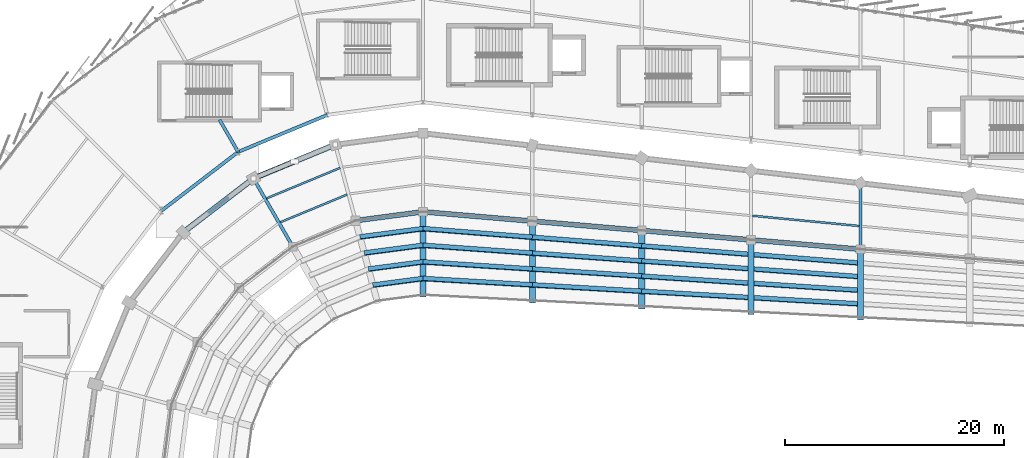
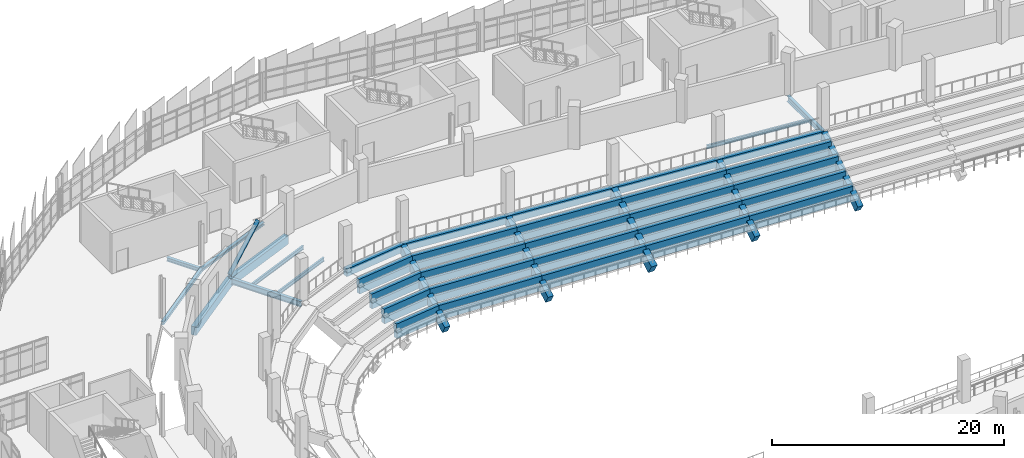
# One storey, part 54 of 134: 60 beams, 1 member.
"""IFC4 building model written with IfcOpenShell, lengths in metres."""

from ifc_helpers import new_model, si_unit, direction, frame, origin, origin_2d, place, context, subcontext, project, spatial, rectangle, hollow_circle, i_section, extrude, material, material_profile, profile_set, type_object, element, save


model = new_model("IFC4")

# Units and contexts
model_context = context("Model", 3, precision=1e-05, world=origin(), true_north=direction((0.0, 1.0)))
body_context = subcontext(model_context, "Body", "Model", "MODEL_VIEW")
ifc_project = project(units=[si_unit("LENGTHUNIT", "METRE"), si_unit("AREAUNIT", "SQUARE_METRE"), si_unit("VOLUMEUNIT", "CUBIC_METRE"), si_unit("PLANEANGLEUNIT", "RADIAN"), si_unit("MASSUNIT", "GRAM", prefix="KILO")], contexts=[model_context])

# Site, building, storey
site_placement = place(None, origin())
site = spatial("IfcSite", under=ifc_project, at=site_placement, CompositionType="ELEMENT")
building_placement = place(site_placement, origin())
building = spatial("IfcBuilding", under=site, at=building_placement, Name="Sohan Crest Arena", CompositionType="ELEMENT")
storey_placement = place(building_placement, frame((0.0, 0.0, 4.5)))
storey = spatial("IfcBuildingStorey", under=building, at=storey_placement, Name="L01", CompositionType="ELEMENT", Elevation=4.5)

# Beams
ifc_material_1 = material(Name="Steel S355", Category="steel")
ifc_material_profile_1 = material_profile(ifc_material_1, i_section(OverallWidth=0.179931640625, OverallDepth=0.39990234375, WebThickness=0.008544921875, FlangeThickness=0.013427734375, at=origin_2d()), Name="IPE 400")
ifc_profile_set_1 = profile_set([ifc_material_profile_1], Name="Steel S355")
beam_type_1 = type_object("IfcBeamType", Name="STR-BM-B03", PredefinedType="JOIST", material=ifc_profile_set_1)
beam_1_placement = place(storey_placement, frame((91.0859375, 103.381103515625, -0.449951171875), z_axis=(-0.923867831396, -0.382711680136, 0.0), x_axis=(0.382711680136, -0.923867831396, 0.0)))
element("IfcBeam", 1, at=beam_1_placement, inside=storey, type_object=beam_type_1, Name="Structural beam J-L01-0089", PredefinedType="JOIST", context=body_context, shape_type="SweptSolid", body=[
    extrude(i_section(OverallWidth=0.179931640625, OverallDepth=0.39990234375, WebThickness=0.008544921875, FlangeThickness=0.013427734375, at=origin_2d()), origin(), (0.0, 0.0, 1.0), 6.650390625),
])
beam_2_placement = place(storey_placement, frame((90.43408203125, 105.81591796875, -0.449951171875), z_axis=(-0.923831158032, -0.382800197818, 0.0), x_axis=(0.382800197818, -0.923831158032, 0.0)))
element("IfcBeam", 2, at=beam_2_placement, inside=storey, type_object=beam_type_1, Name="Structural beam J-L01-0090", PredefinedType="JOIST", context=body_context, shape_type="SweptSolid", body=[
    extrude(i_section(OverallWidth=0.179931640625, OverallDepth=0.39990234375, WebThickness=0.008544921875, FlangeThickness=0.013427734375, at=origin_2d()), origin(), (0.0, 0.0, 1.0), 7.308837890625),
])
beam_3_placement = place(storey_placement, frame((137.89111328125, 100.5009765625, -0.449951171875), z_axis=(-0.995434302208, 0.095449201085, 0.0), x_axis=(-0.095449201085, -0.995434302208, 0.0)))
element("IfcBeam", 3, at=beam_3_placement, inside=storey, type_object=beam_type_1, Name="Structural beam J-L01-0733", PredefinedType="JOIST", context=body_context, shape_type="SweptSolid", body=[
    extrude(i_section(OverallWidth=0.179931640625, OverallDepth=0.39990234375, WebThickness=0.008544921875, FlangeThickness=0.013427734375, at=origin_2d()), origin(), (0.0, 0.0, 1.0), 9.8271484375),
])
ifc_material_profile_2 = material_profile(ifc_material_1, i_section(OverallWidth=0.300048828125, OverallDepth=0.590087890625, WebThickness=0.012939453125, FlangeThickness=0.02490234375, at=origin_2d()), Name="HEA 600")
ifc_profile_set_2 = profile_set([ifc_material_profile_2], Name="Steel S355")
beam_type_2 = type_object("IfcBeamType", Name="STR-BM-B11", PredefinedType="BEAM", material=ifc_profile_set_2)
beam_4_placement = place(storey_placement, frame((86.10009765625, 98.611083984375, -0.544921875), z_axis=(-0.499982693035, 0.866035395735, 0.0), x_axis=(-0.866035395735, -0.499982693035, 0.0)))
element("IfcBeam", 4, at=beam_4_placement, inside=storey, type_object=beam_type_2, Name="Structural beam G-L01-0110", PredefinedType="BEAM", context=body_context, shape_type="SweptSolid", body=[
    extrude(i_section(OverallWidth=0.300048828125, OverallDepth=0.590087890625, WebThickness=0.012939453125, FlangeThickness=0.02490234375, at=origin_2d()), origin(), (0.0, 0.0, 1.0), 7.200439453125),
])
beam_5_placement = place(storey_placement, frame((138.0, 98.37109375, -0.544921875), z_axis=(0.0, 1.0, 0.0), x_axis=(-1.0, 0.0, 0.0)))
element("IfcBeam", 5, at=beam_5_placement, inside=storey, type_object=beam_type_2, Name="Structural beam G-L01-0732", PredefinedType="BEAM", context=body_context, shape_type="SweptSolid", body=[
    extrude(i_section(OverallWidth=0.300048828125, OverallDepth=0.590087890625, WebThickness=0.012939453125, FlangeThickness=0.02490234375, at=origin_2d()), origin(), (0.0, 0.0, 1.0), 6.057861328125),
])
ifc_material_profile_3 = material_profile(ifc_material_1, i_section(OverallWidth=0.300048828125, OverallDepth=0.300048828125, WebThickness=0.010986328125, FlangeThickness=0.01904296875, at=origin_2d()), Name="HEB 300")
ifc_profile_set_3 = profile_set([ifc_material_profile_3], Name="Steel S355")
beam_type_3 = type_object("IfcBeamType", Name="STR-BM-B12", PredefinedType="BEAM", material=ifc_profile_set_3)
beam_6_placement = place(storey_placement, frame((89.251953125, 110.64794921875, -0.425048828125), z_axis=(-0.923904876385, -0.38262224111, 0.0), x_axis=(0.38262224111, -0.923904876385, 0.0)))
element("IfcBeam", 6, at=beam_6_placement, inside=storey, type_object=beam_type_3, Name="Structural beam G-L01-1096", PredefinedType="BEAM", context=body_context, shape_type="SweptSolid", body=[
    extrude(i_section(OverallWidth=0.300048828125, OverallDepth=0.300048828125, WebThickness=0.010986328125, FlangeThickness=0.01904296875, at=origin_2d()), origin(), (0.0, 0.0, 1.0), 8.8232421875),
])
beam_7_placement = place(storey_placement, frame((81.10009765625, 107.27197265625, -0.425048828125), z_axis=(-0.793310569192, -0.608817165336, 0.0), x_axis=(0.608817165336, -0.793310569192, 0.0)))
element("IfcBeam", 7, at=beam_7_placement, inside=storey, type_object=beam_type_3, Name="Structural beam G-L01-1101", PredefinedType="BEAM", context=body_context, shape_type="SweptSolid", body=[
    extrude(i_section(OverallWidth=0.300048828125, OverallDepth=0.300048828125, WebThickness=0.010986328125, FlangeThickness=0.01904296875, at=origin_2d()), origin(), (0.0, 0.0, 1.0), 8.82373046875),
])
ifc_material_profile_4 = material_profile(ifc_material_1, i_section(OverallWidth=0.300048828125, OverallDepth=0.39990234375, WebThickness=0.013427734375, FlangeThickness=0.02392578125, at=origin_2d()), Name="HEB 400")
ifc_profile_set_4 = profile_set([ifc_material_profile_4], Name="Steel S355")
beam_type_4 = type_object("IfcBeamType", Name="STR-BM-B13", PredefinedType="BEAM", material=ifc_profile_set_4)
beam_8_placement = place(storey_placement, frame((81.10009765625, 107.27197265625, -0.47509765625), z_axis=(-0.500026652407, 0.866010015463, 0.0), x_axis=(-0.866010015463, -0.500026652407, 0.0)))
element("IfcBeam", 8, at=beam_8_placement, inside=storey, type_object=beam_type_4, Name="Structural beam G-L01-1099", PredefinedType="BEAM", context=body_context, shape_type="SweptSolid", body=[
    extrude(i_section(OverallWidth=0.300048828125, OverallDepth=0.39990234375, WebThickness=0.013427734375, FlangeThickness=0.02392578125, at=origin_2d()), origin(), (0.0, 0.0, 1.0), 3.404052734375),
])
ifc_material_2 = material(Name="Precast concrete C50/60", Category="concrete")
ifc_material_profile_5 = material_profile(ifc_material_2, rectangle(XDim=0.550048828125, YDim=0.89990234375, at=origin_2d()), Name="RAKER 550x900")
ifc_profile_set_5 = profile_set([ifc_material_profile_5], Name="Precast concrete C50/60")
beam_type_5 = type_object("IfcBeamType", Name="STR-BM-RK01", PredefinedType="USERDEFINED", material=ifc_profile_set_5)
beam_9_placement = place(storey_placement, frame((98.0, 94.199951171875, -4.75), z_axis=(0.0, 0.880096810018, 0.4747942765), x_axis=(-1.0, 0.0, 0.0)))
element("IfcBeam", 9, at=beam_9_placement, inside=storey, type_object=beam_type_5, Name="Structural beam RK-L01-0811", ObjectType="RAKER", PredefinedType="USERDEFINED", context=body_context, shape_type="SweptSolid", body=[
    extrude(rectangle(XDim=0.550048828125, YDim=0.89990234375, at=origin_2d()), origin(), (0.0, 0.0, 1.0), 8.635498046875),
])
beam_10_placement = place(storey_placement, frame((138.0, 92.14306640625, -4.75), z_axis=(0.0, 0.835250089234, 0.549870246907), x_axis=(-1.0, 0.0, 0.0)))
element("IfcBeam", 10, at=beam_10_placement, inside=storey, type_object=beam_type_5, Name="Structural beam RK-L01-0889", ObjectType="RAKER", PredefinedType="USERDEFINED", context=body_context, shape_type="SweptSolid", body=[
    extrude(rectangle(XDim=0.550048828125, YDim=0.89990234375, at=origin_2d()), origin(), (0.0, 0.0, 1.0), 7.45654296875),
])
beam_11_placement = place(storey_placement, frame((108.0, 93.68603515625, -4.75), z_axis=(0.0, 0.870651744238, 0.491899929108), x_axis=(-1.0, 0.0, 0.0)))
element("IfcBeam", 11, at=beam_11_placement, inside=storey, type_object=beam_type_5, Name="Structural beam RK-L01-0898", ObjectType="RAKER", PredefinedType="USERDEFINED", context=body_context, shape_type="SweptSolid", body=[
    extrude(rectangle(XDim=0.550048828125, YDim=0.89990234375, at=origin_2d()), origin(), (0.0, 0.0, 1.0), 8.335205078125),
])
ifc_material_profile_6 = material_profile(ifc_material_2, rectangle(XDim=0.550048828125, YDim=1.0, at=origin_2d()), Name="RAKER 550x1000")
ifc_profile_set_6 = profile_set([ifc_material_profile_6], Name="Precast concrete C50/60")
beam_type_6 = type_object("IfcBeamType", Name="STR-BM-RK02", PredefinedType="USERDEFINED", material=ifc_profile_set_6)
beam_12_placement = place(storey_placement, frame((128.0, 92.656982421875, -4.75), z_axis=(0.0, 0.848428295971, 0.529310331087), x_axis=(-1.0, 0.0, 0.0)))
element("IfcBeam", 12, at=beam_12_placement, inside=storey, type_object=beam_type_6, Name="Structural beam RK-L01-0892", ObjectType="RAKER", PredefinedType="USERDEFINED", context=body_context, shape_type="SweptSolid", body=[
    extrude(rectangle(XDim=0.550048828125, YDim=1.0, at=origin_2d()), origin(), (0.0, 0.0, 1.0), 7.74609375),
])
ifc_material_profile_7 = material_profile(ifc_material_2, rectangle(XDim=0.60009765625, YDim=1.10009765625, at=origin_2d()), Name="RAKER 600x1100")
ifc_profile_set_7 = profile_set([ifc_material_profile_7], Name="Precast concrete C50/60")
beam_type_7 = type_object("IfcBeamType", Name="STR-BM-RK03", PredefinedType="USERDEFINED", material=ifc_profile_set_7)
beam_13_placement = place(storey_placement, frame((118.0, 93.1708984375, -4.75), z_axis=(0.0, 0.860166209327, 0.510013815825), x_axis=(-1.0, 0.0, 0.0)))
element("IfcBeam", 13, at=beam_13_placement, inside=storey, type_object=beam_type_7, Name="Structural beam RK-L01-0895", ObjectType="RAKER", PredefinedType="USERDEFINED", context=body_context, shape_type="SweptSolid", body=[
    extrude(rectangle(XDim=0.60009765625, YDim=1.10009765625, at=origin_2d()), origin(), (0.0, 0.0, 1.0), 8.039306640625),
])
ifc_material_3 = material(Name="Concrete C40/50", Category="concrete")
ifc_material_profile_8 = material_profile(ifc_material_3, rectangle(XDim=0.39990234375, YDim=0.699951171875, at=origin_2d()), Name="RC-BM 400x700")
ifc_profile_set_8 = profile_set([ifc_material_profile_8], Name="Concrete C40/50")
beam_type_8 = type_object("IfcBeamType", Name="STR-BM-TB01", PredefinedType="BEAM", material=ifc_profile_set_8)
beam_14_placement = place(storey_placement, frame((98.0, 95.658935546875, -4.220947265625), z_axis=(-0.991437525542, -0.130581901297, 0.0), x_axis=(0.130581901297, -0.991437525542, 0.0)))
element("IfcBeam", 14, at=beam_14_placement, inside=storey, type_object=beam_type_8, Name="Tier rear stringer beam TSB-L001B", PredefinedType="BEAM", context=body_context, shape_type="SweptSolid", body=[
    extrude(rectangle(XDim=0.39990234375, YDim=0.699951171875, at=origin_2d()), origin(), (0.0, 0.0, 1.0), 4.610595703125),
])
beam_15_placement = place(storey_placement, frame((98.0, 95.719970703125, -3.40087890625), z_axis=(-0.991437759848, -0.130580122331, 0.0), x_axis=(0.130580122331, -0.991437759848, 0.0)))
element("IfcBeam", 15, at=beam_15_placement, inside=storey, type_object=beam_type_8, Name="Tier front stringer beam TSB-L002A", PredefinedType="BEAM", context=body_context, shape_type="SweptSolid", body=[
    extrude(rectangle(XDim=0.39990234375, YDim=0.699951171875, at=origin_2d()), origin(), (0.0, 0.0, 1.0), 4.62548828125),
])
beam_16_placement = place(storey_placement, frame((98.0, 97.178955078125, -3.40087890625), z_axis=(-0.99145678486, -0.130435592362, 0.0), x_axis=(0.130435592362, -0.99145678486, 0.0)))
element("IfcBeam", 16, at=beam_16_placement, inside=storey, type_object=beam_type_8, Name="Tier rear stringer beam TSB-L002B", PredefinedType="BEAM", context=body_context, shape_type="SweptSolid", body=[
    extrude(rectangle(XDim=0.39990234375, YDim=0.699951171875, at=origin_2d()), origin(), (0.0, 0.0, 1.0), 5.0068359375),
])
beam_17_placement = place(storey_placement, frame((98.0, 97.239990234375, -2.5810546875), z_axis=(-0.991435094465, -0.130600357821, 0.0), x_axis=(0.130600357821, -0.991435094465, 0.0)))
element("IfcBeam", 17, at=beam_17_placement, inside=storey, type_object=beam_type_8, Name="Tier front stringer beam TSB-L003A", PredefinedType="BEAM", context=body_context, shape_type="SweptSolid", body=[
    extrude(rectangle(XDim=0.39990234375, YDim=0.699951171875, at=origin_2d()), origin(), (0.0, 0.0, 1.0), 5.02294921875),
])
beam_18_placement = place(storey_placement, frame((98.0, 98.698974609375, -2.5810546875), z_axis=(-0.991449065714, -0.130494253112, 0.0), x_axis=(0.130494253112, -0.991449065714, 0.0)))
element("IfcBeam", 18, at=beam_18_placement, inside=storey, type_object=beam_type_8, Name="Tier rear stringer beam TSB-L003B", PredefinedType="BEAM", context=body_context, shape_type="SweptSolid", body=[
    extrude(rectangle(XDim=0.39990234375, YDim=0.699951171875, at=origin_2d()), origin(), (0.0, 0.0, 1.0), 5.403076171875),
])
beam_19_placement = place(storey_placement, frame((98.0, 98.760009765625, -1.760986328125), z_axis=(-0.991453068823, -0.130463835301, 0.0), x_axis=(0.130463835301, -0.991453068823, 0.0)))
element("IfcBeam", 19, at=beam_19_placement, inside=storey, type_object=beam_type_8, Name="Tier front stringer beam TSB-L004A", PredefinedType="BEAM", context=body_context, shape_type="SweptSolid", body=[
    extrude(rectangle(XDim=0.39990234375, YDim=0.699951171875, at=origin_2d()), origin(), (0.0, 0.0, 1.0), 5.41943359375),
])
beam_20_placement = place(storey_placement, frame((98.0, 100.218994140625, -1.760986328125), z_axis=(-0.991445984628, -0.130517659973, 0.0), x_axis=(0.130517659973, -0.991445984628, 0.0)))
element("IfcBeam", 20, at=beam_20_placement, inside=storey, type_object=beam_type_8, Name="Tier rear stringer beam TSB-L004B", PredefinedType="BEAM", context=body_context, shape_type="SweptSolid", body=[
    extrude(rectangle(XDim=0.39990234375, YDim=0.699951171875, at=origin_2d()), origin(), (0.0, 0.0, 1.0), 5.800537109375),
])
beam_21_placement = place(storey_placement, frame((98.0, 100.280029296875, -0.94091796875), z_axis=(-0.991449723502, -0.130489255371, 0.0), x_axis=(0.130489255371, -0.991449723502, 0.0)))
element("IfcBeam", 21, at=beam_21_placement, inside=storey, type_object=beam_type_8, Name="Tier front stringer beam TSB-L005A", PredefinedType="BEAM", context=body_context, shape_type="SweptSolid", body=[
    extrude(rectangle(XDim=0.39990234375, YDim=0.699951171875, at=origin_2d()), origin(), (0.0, 0.0, 1.0), 5.81689453125),
])
for number, where, z_axis, x_axis, name in (
    (22, (138.0, 93.339111328125, -4.220947265625), (-0.998323189741, 0.05788617128, 0.0), (-0.05788617128, -0.998323189741, 0.0), "Tier rear stringer beam TSB-L226B"),
    (23, (138.0, 93.388916015625, -3.40087890625), (-0.998310489455, 0.058104790207, 0.0), (-0.058104790207, -0.998310489455, 0.0), "Tier front stringer beam TSB-L227A"),
):
    element("IfcBeam", number, at=place(storey_placement, frame(where, z_axis=z_axis, x_axis=x_axis)), inside=storey, type_object=beam_type_8, Name=name, PredefinedType="BEAM", context=body_context, shape_type="SweptSolid", body=[
        extrude(rectangle(XDim=0.39990234375, YDim=0.699951171875, at=origin_2d()), origin(), (0.0, 0.0, 1.0), 10.016845703125),
    ])
beam_22_placement = place(storey_placement, frame((138.0, 94.583984375, -3.40087890625), z_axis=(-0.997901103245, 0.064756375303, 0.0), x_axis=(-0.064756375303, -0.997901103245, 0.0)))
element("IfcBeam", 24, at=beam_22_placement, inside=storey, type_object=beam_type_8, Name="Tier rear stringer beam TSB-L227B", PredefinedType="BEAM", context=body_context, shape_type="SweptSolid", body=[
    extrude(rectangle(XDim=0.39990234375, YDim=0.699951171875, at=origin_2d()), origin(), (0.0, 0.0, 1.0), 10.02099609375),
])
beam_23_placement = place(storey_placement, frame((138.0, 94.634033203125, -2.5810546875), z_axis=(-0.997882169099, 0.06504749491, 0.0), x_axis=(-0.06504749491, -0.997882169099, 0.0)))
element("IfcBeam", 25, at=beam_23_placement, inside=storey, type_object=beam_type_8, Name="Tier front stringer beam TSB-L228A", PredefinedType="BEAM", context=body_context, shape_type="SweptSolid", body=[
    extrude(rectangle(XDim=0.39990234375, YDim=0.699951171875, at=origin_2d()), origin(), (0.0, 0.0, 1.0), 10.021240234375),
])
beam_24_placement = place(storey_placement, frame((138.0, 95.830078125, -2.5810546875), z_axis=(-0.997432178322, 0.071617383702, 0.0), x_axis=(-0.071617383702, -0.997432178322, 0.0)))
element("IfcBeam", 26, at=beam_24_placement, inside=storey, type_object=beam_type_8, Name="Tier rear stringer beam TSB-L228B", PredefinedType="BEAM", context=body_context, shape_type="SweptSolid", body=[
    extrude(rectangle(XDim=0.39990234375, YDim=0.699951171875, at=origin_2d()), origin(), (0.0, 0.0, 1.0), 10.025634765625),
])
beam_25_placement = place(storey_placement, frame((138.0, 95.8798828125, -1.760986328125), z_axis=(-0.997416499207, 0.071835416813, 0.0), x_axis=(-0.071835416813, -0.997416499207, 0.0)))
element("IfcBeam", 27, at=beam_25_placement, inside=storey, type_object=beam_type_8, Name="Tier front stringer beam TSB-L229A", PredefinedType="BEAM", context=body_context, shape_type="SweptSolid", body=[
    extrude(rectangle(XDim=0.39990234375, YDim=0.699951171875, at=origin_2d()), origin(), (0.0, 0.0, 1.0), 10.02587890625),
])
beam_26_placement = place(storey_placement, frame((138.0, 97.075927734375, -1.760986328125), z_axis=(-0.996924225014, 0.078371484486, 0.0), x_axis=(-0.078371484486, -0.996924225014, 0.0)))
element("IfcBeam", 28, at=beam_26_placement, inside=storey, type_object=beam_type_8, Name="Tier rear stringer beam TSB-L229B", PredefinedType="BEAM", context=body_context, shape_type="SweptSolid", body=[
    extrude(rectangle(XDim=0.39990234375, YDim=0.699951171875, at=origin_2d()), origin(), (0.0, 0.0, 1.0), 10.03076171875),
])
beam_27_placement = place(storey_placement, frame((138.0, 97.125, -0.94091796875), z_axis=(-0.996893724993, 0.078758498391, 0.0), x_axis=(-0.078758498391, -0.996893724993, 0.0)))
element("IfcBeam", 29, at=beam_27_placement, inside=storey, type_object=beam_type_8, Name="Tier front stringer beam TSB-L230A", PredefinedType="BEAM", context=body_context, shape_type="SweptSolid", body=[
    extrude(rectangle(XDim=0.39990234375, YDim=0.699951171875, at=origin_2d()), origin(), (0.0, 0.0, 1.0), 10.03125),
])
beam_28_placement = place(storey_placement, frame((128.0, 93.9189453125, -4.220947265625), z_axis=(-0.998321780946, 0.057910462684, 0.0), x_axis=(-0.057910462684, -0.998321780946, 0.0)))
element("IfcBeam", 30, at=beam_28_placement, inside=storey, type_object=beam_type_8, Name="Tier rear stringer beam TSB-L236B", PredefinedType="BEAM", context=body_context, shape_type="SweptSolid", body=[
    extrude(rectangle(XDim=0.39990234375, YDim=0.699951171875, at=origin_2d()), origin(), (0.0, 0.0, 1.0), 10.016845703125),
])
beam_29_placement = place(storey_placement, frame((128.0, 93.970947265625, -3.40087890625), z_axis=(-0.99830482962, 0.058201951492, 0.0), x_axis=(-0.058201951492, -0.99830482962, 0.0)))
element("IfcBeam", 31, at=beam_29_placement, inside=storey, type_object=beam_type_8, Name="Tier front stringer beam TSB-L237A", PredefinedType="BEAM", context=body_context, shape_type="SweptSolid", body=[
    extrude(rectangle(XDim=0.39990234375, YDim=0.699951171875, at=origin_2d()), origin(), (0.0, 0.0, 1.0), 10.01708984375),
])
beam_30_placement = place(storey_placement, frame((128.0, 95.23291015625, -3.40087890625), z_axis=(-0.997899528616, 0.064780635903, 0.0), x_axis=(-0.064780635903, -0.997899528616, 0.0)))
element("IfcBeam", 32, at=beam_30_placement, inside=storey, type_object=beam_type_8, Name="Tier rear stringer beam TSB-L237B", PredefinedType="BEAM", context=body_context, shape_type="SweptSolid", body=[
    extrude(rectangle(XDim=0.39990234375, YDim=0.699951171875, at=origin_2d()), origin(), (0.0, 0.0, 1.0), 10.02099609375),
])
beam_31_placement = place(storey_placement, frame((128.0, 95.285888671875, -2.5810546875), z_axis=(-0.99788691053, 0.064974716562, 0.0), x_axis=(-0.064974716562, -0.99788691053, 0.0)))
element("IfcBeam", 33, at=beam_31_placement, inside=storey, type_object=beam_type_8, Name="Tier front stringer beam TSB-L238A", PredefinedType="BEAM", context=body_context, shape_type="SweptSolid", body=[
    extrude(rectangle(XDim=0.39990234375, YDim=0.699951171875, at=origin_2d()), origin(), (0.0, 0.0, 1.0), 10.021240234375),
])
beam_32_placement = place(storey_placement, frame((128.0, 96.548095703125, -2.5810546875), z_axis=(-0.997440868558, 0.071496249758, 0.0), x_axis=(-0.071496249758, -0.997440868558, 0.0)))
element("IfcBeam", 34, at=beam_32_placement, inside=storey, type_object=beam_type_8, Name="Tier rear stringer beam TSB-L238B", PredefinedType="BEAM", context=body_context, shape_type="SweptSolid", body=[
    extrude(rectangle(XDim=0.39990234375, YDim=0.699951171875, at=origin_2d()), origin(), (0.0, 0.0, 1.0), 10.025634765625),
])
beam_33_placement = place(storey_placement, frame((128.0, 96.60009765625, -1.760986328125), z_axis=(-0.997418243661, 0.07181119142, 0.0), x_axis=(-0.07181119142, -0.997418243661, 0.0)))
element("IfcBeam", 35, at=beam_33_placement, inside=storey, type_object=beam_type_8, Name="Tier front stringer beam TSB-L239A", PredefinedType="BEAM", context=body_context, shape_type="SweptSolid", body=[
    extrude(rectangle(XDim=0.39990234375, YDim=0.699951171875, at=origin_2d()), origin(), (0.0, 0.0, 1.0), 10.02587890625),
])
beam_34_placement = place(storey_placement, frame((128.0, 97.862060546875, -1.760986328125), z_axis=(-0.996926126338, 0.078347294939, 0.0), x_axis=(-0.078347294939, -0.996926126338, 0.0)))
element("IfcBeam", 36, at=beam_34_placement, inside=storey, type_object=beam_type_8, Name="Tier rear stringer beam TSB-L239B", PredefinedType="BEAM", context=body_context, shape_type="SweptSolid", body=[
    extrude(rectangle(XDim=0.39990234375, YDim=0.699951171875, at=origin_2d()), origin(), (0.0, 0.0, 1.0), 10.03076171875),
])
beam_35_placement = place(storey_placement, frame((128.0, 97.9150390625, -0.94091796875), z_axis=(-0.996910899512, 0.07854080744, 0.0), x_axis=(-0.07854080744, -0.996910899512, 0.0)))
element("IfcBeam", 37, at=beam_35_placement, inside=storey, type_object=beam_type_8, Name="Tier front stringer beam TSB-L240A", PredefinedType="BEAM", context=body_context, shape_type="SweptSolid", body=[
    extrude(rectangle(XDim=0.39990234375, YDim=0.699951171875, at=origin_2d()), origin(), (0.0, 0.0, 1.0), 10.031005859375),
])
beam_36_placement = place(storey_placement, frame((118.0, 94.4990234375, -4.220947265625), z_axis=(-0.998321780946, 0.057910462684, 0.0), x_axis=(-0.057910462684, -0.998321780946, 0.0)))
element("IfcBeam", 38, at=beam_36_placement, inside=storey, type_object=beam_type_8, Name="Tier rear stringer beam TSB-L246B", PredefinedType="BEAM", context=body_context, shape_type="SweptSolid", body=[
    extrude(rectangle(XDim=0.39990234375, YDim=0.699951171875, at=origin_2d()), origin(), (0.0, 0.0, 1.0), 10.016845703125),
])
beam_37_placement = place(storey_placement, frame((118.0, 94.553955078125, -3.40087890625), z_axis=(-0.99830482962, 0.058201951492, 0.0), x_axis=(-0.058201951492, -0.99830482962, 0.0)))
element("IfcBeam", 39, at=beam_37_placement, inside=storey, type_object=beam_type_8, Name="Tier front stringer beam TSB-L247A", PredefinedType="BEAM", context=body_context, shape_type="SweptSolid", body=[
    extrude(rectangle(XDim=0.39990234375, YDim=0.699951171875, at=origin_2d()), origin(), (0.0, 0.0, 1.0), 10.01708984375),
])
beam_38_placement = place(storey_placement, frame((118.0, 95.882080078125, -3.40087890625), z_axis=(-0.997901103245, 0.064756375303, 0.0), x_axis=(-0.064756375303, -0.997901103245, 0.0)))
element("IfcBeam", 40, at=beam_38_placement, inside=storey, type_object=beam_type_8, Name="Tier rear stringer beam TSB-L247B", PredefinedType="BEAM", context=body_context, shape_type="SweptSolid", body=[
    extrude(rectangle(XDim=0.39990234375, YDim=0.699951171875, at=origin_2d()), origin(), (0.0, 0.0, 1.0), 10.02099609375),
])
beam_39_placement = place(storey_placement, frame((118.0, 95.93701171875, -2.5810546875), z_axis=(-0.997880587453, 0.065071754128, 0.0), x_axis=(-0.065071754128, -0.997880587453, 0.0)))
element("IfcBeam", 41, at=beam_39_placement, inside=storey, type_object=beam_type_8, Name="Tier front stringer beam TSB-L248A", PredefinedType="BEAM", context=body_context, shape_type="SweptSolid", body=[
    extrude(rectangle(XDim=0.39990234375, YDim=0.699951171875, at=origin_2d()), origin(), (0.0, 0.0, 1.0), 10.021240234375),
])
beam_40_placement = place(storey_placement, frame((118.0, 97.264892578125, -2.5810546875), z_axis=(-0.997439131676, 0.0715204768, 0.0), x_axis=(-0.0715204768, -0.997439131676, 0.0)))
element("IfcBeam", 42, at=beam_40_placement, inside=storey, type_object=beam_type_8, Name="Tier rear stringer beam TSB-L248B", PredefinedType="BEAM", context=body_context, shape_type="SweptSolid", body=[
    extrude(rectangle(XDim=0.39990234375, YDim=0.699951171875, at=origin_2d()), origin(), (0.0, 0.0, 1.0), 10.025634765625),
])
beam_41_placement = place(storey_placement, frame((118.0, 97.320068359375, -1.760986328125), z_axis=(-0.997418243661, 0.07181119142, 0.0), x_axis=(-0.07181119142, -0.997418243661, 0.0)))
element("IfcBeam", 43, at=beam_41_placement, inside=storey, type_object=beam_type_8, Name="Tier front stringer beam TSB-L249A", PredefinedType="BEAM", context=body_context, shape_type="SweptSolid", body=[
    extrude(rectangle(XDim=0.39990234375, YDim=0.699951171875, at=origin_2d()), origin(), (0.0, 0.0, 1.0), 10.02587890625),
])
beam_42_placement = place(storey_placement, frame((118.0, 98.64794921875, -1.760986328125), z_axis=(-0.996924225014, 0.078371484486, 0.0), x_axis=(-0.078371484486, -0.996924225014, 0.0)))
element("IfcBeam", 44, at=beam_42_placement, inside=storey, type_object=beam_type_8, Name="Tier rear stringer beam TSB-L249B", PredefinedType="BEAM", context=body_context, shape_type="SweptSolid", body=[
    extrude(rectangle(XDim=0.39990234375, YDim=0.699951171875, at=origin_2d()), origin(), (0.0, 0.0, 1.0), 10.03076171875),
])
beam_43_placement = place(storey_placement, frame((118.0, 98.702880859375, -0.94091796875), z_axis=(-0.996901363909, 0.078661748246, 0.0), x_axis=(-0.078661748246, -0.996901363909, 0.0)))
element("IfcBeam", 45, at=beam_43_placement, inside=storey, type_object=beam_type_8, Name="Tier front stringer beam TSB-L250A", PredefinedType="BEAM", context=body_context, shape_type="SweptSolid", body=[
    extrude(rectangle(XDim=0.39990234375, YDim=0.699951171875, at=origin_2d()), origin(), (0.0, 0.0, 1.0), 10.031005859375),
])
beam_44_placement = place(storey_placement, frame((108.0, 95.0791015625, -4.220947265625), z_axis=(-0.998323189741, 0.05788617128, 0.0), x_axis=(-0.05788617128, -0.998323189741, 0.0)))
element("IfcBeam", 46, at=beam_44_placement, inside=storey, type_object=beam_type_8, Name="Tier rear stringer beam TSB-L256B", PredefinedType="BEAM", context=body_context, shape_type="SweptSolid", body=[
    extrude(rectangle(XDim=0.39990234375, YDim=0.699951171875, at=origin_2d()), origin(), (0.0, 0.0, 1.0), 10.016845703125),
])
beam_45_placement = place(storey_placement, frame((108.0, 95.136962890625, -3.40087890625), z_axis=(-0.99830482962, 0.058201951492, 0.0), x_axis=(-0.058201951492, -0.99830482962, 0.0)))
element("IfcBeam", 47, at=beam_45_placement, inside=storey, type_object=beam_type_8, Name="Tier front stringer beam TSB-L257A", PredefinedType="BEAM", context=body_context, shape_type="SweptSolid", body=[
    extrude(rectangle(XDim=0.39990234375, YDim=0.699951171875, at=origin_2d()), origin(), (0.0, 0.0, 1.0), 10.01708984375),
])
beam_46_placement = place(storey_placement, frame((108.0, 96.531005859375, -3.40087890625), z_axis=(-0.997907395912, 0.064659331757, 0.0), x_axis=(-0.064659331757, -0.997907395912, 0.0)))
element("IfcBeam", 48, at=beam_46_placement, inside=storey, type_object=beam_type_8, Name="Tier rear stringer beam TSB-L257B", PredefinedType="BEAM", context=body_context, shape_type="SweptSolid", body=[
    extrude(rectangle(XDim=0.39990234375, YDim=0.699951171875, at=origin_2d()), origin(), (0.0, 0.0, 1.0), 10.02099609375),
])
beam_47_placement = place(storey_placement, frame((108.0, 96.589111328125, -2.5810546875), z_axis=(-0.997888489838, 0.064950456883, 0.0), x_axis=(-0.064950456883, -0.997888489838, 0.0)))
element("IfcBeam", 49, at=beam_47_placement, inside=storey, type_object=beam_type_8, Name="Tier front stringer beam TSB-L258A", PredefinedType="BEAM", context=body_context, shape_type="SweptSolid", body=[
    extrude(rectangle(XDim=0.39990234375, YDim=0.699951171875, at=origin_2d()), origin(), (0.0, 0.0, 1.0), 10.021240234375),
])
beam_48_placement = place(storey_placement, frame((108.0, 97.98193359375, -2.5810546875), z_axis=(-0.997439131676, 0.0715204768, 0.0), x_axis=(-0.0715204768, -0.997439131676, 0.0)))
element("IfcBeam", 50, at=beam_48_placement, inside=storey, type_object=beam_type_8, Name="Tier rear stringer beam TSB-L258B", PredefinedType="BEAM", context=body_context, shape_type="SweptSolid", body=[
    extrude(rectangle(XDim=0.39990234375, YDim=0.699951171875, at=origin_2d()), origin(), (0.0, 0.0, 1.0), 10.025634765625),
])
beam_49_placement = place(storey_placement, frame((108.0, 98.0400390625, -1.760986328125), z_axis=(-0.997418243661, 0.07181119142, 0.0), x_axis=(-0.07181119142, -0.997418243661, 0.0)))
element("IfcBeam", 51, at=beam_49_placement, inside=storey, type_object=beam_type_8, Name="Tier front stringer beam TSB-L259A", PredefinedType="BEAM", context=body_context, shape_type="SweptSolid", body=[
    extrude(rectangle(XDim=0.39990234375, YDim=0.699951171875, at=origin_2d()), origin(), (0.0, 0.0, 1.0), 10.02587890625),
])
beam_50_placement = place(storey_placement, frame((108.0, 99.43408203125, -1.760986328125), z_axis=(-0.996933725839, 0.078250535366, 0.0), x_axis=(-0.078250535366, -0.996933725839, 0.0)))
element("IfcBeam", 52, at=beam_50_placement, inside=storey, type_object=beam_type_8, Name="Tier rear stringer beam TSB-L259B", PredefinedType="BEAM", context=body_context, shape_type="SweptSolid", body=[
    extrude(rectangle(XDim=0.39990234375, YDim=0.699951171875, at=origin_2d()), origin(), (0.0, 0.0, 1.0), 10.03076171875),
])
beam_51_placement = place(storey_placement, frame((108.0, 99.491943359375, -0.94091796875), z_axis=(-0.996908993551, 0.078564995878, 0.0), x_axis=(-0.078564995878, -0.996908993551, 0.0)))
element("IfcBeam", 53, at=beam_51_placement, inside=storey, type_object=beam_type_8, Name="Tier front stringer beam TSB-L260A", PredefinedType="BEAM", context=body_context, shape_type="SweptSolid", body=[
    extrude(rectangle(XDim=0.39990234375, YDim=0.699951171875, at=origin_2d()), origin(), (0.0, 0.0, 1.0), 10.031005859375),
])
ifc_material_profile_9 = material_profile(ifc_material_3, rectangle(XDim=0.449951171875, YDim=0.800048828125, at=origin_2d()), Name="RC-BM 450x800")
ifc_profile_set_9 = profile_set([ifc_material_profile_9], Name="Concrete C40/50")
beam_type_9 = type_object("IfcBeamType", Name="STR-BM-TB02", PredefinedType="BEAM", material=ifc_profile_set_9)
beam_52_placement = place(storey_placement, frame((98.0, 101.800048828125, -0.64990234375), z_axis=(-0.991443458676, -0.130536846329, 0.0), x_axis=(0.130536846329, -0.991443458676, 0.0)))
element("IfcBeam", 54, at=beam_52_placement, inside=storey, type_object=beam_type_9, Name="Structural beam TB-L01-0064", PredefinedType="BEAM", context=body_context, shape_type="SweptSolid", body=[
    extrude(rectangle(XDim=0.449951171875, YDim=0.800048828125, at=origin_2d()), origin(), (0.0, 0.0, 1.0), 6.213134765625),
])
for number, where, z_axis, x_axis, name in (
    (55, (138.0, 98.37109375, -0.64990234375), (-0.996340141164, 0.085477032618, 0.0), (-0.085477032618, -0.996340141164, 0.0), "Structural beam TB-L01-0730"),
    (56, (128.0, 99.22900390625, -0.64990234375), (-0.996348422929, 0.085380443469, 0.0), (-0.085380443469, -0.996348422929, 0.0), "Structural beam TB-L01-0752"),
    (57, (118.0, 100.0859375, -0.64990234375), (-0.996346353353, 0.085404590982, 0.0), (-0.085404590982, -0.996346353353, 0.0), "Structural beam TB-L01-0774"),
    (58, (108.0, 100.943115234375, -0.64990234375), (-0.996348422929, 0.085380443469, 0.0), (-0.085380443469, -0.996348422929, 0.0), "Structural beam TB-L01-0796"),
):
    element("IfcBeam", number, at=place(storey_placement, frame(where, z_axis=z_axis, x_axis=x_axis)), inside=storey, type_object=beam_type_9, Name=name, PredefinedType="BEAM", context=body_context, shape_type="SweptSolid", body=[
        extrude(rectangle(XDim=0.449951171875, YDim=0.800048828125, at=origin_2d()), origin(), (0.0, 0.0, 1.0), 10.03662109375),
    ])
ifc_material_profile_10 = material_profile(ifc_material_3, rectangle(XDim=0.5, YDim=0.89990234375, at=origin_2d()), Name="RC-BM 500x900")
ifc_profile_set_10 = profile_set([ifc_material_profile_10], Name="Concrete C40/50")
beam_type_10 = type_object("IfcBeamType", Name="STR-BM-TB03", PredefinedType="BEAM", material=ifc_profile_set_10)
beam_53_placement = place(storey_placement, frame((89.97705078125, 107.944091796875, -0.699951171875), z_axis=(-0.923876381497, -0.382691039498, 0.0), x_axis=(0.382691039498, -0.923876381497, 0.0)))
element("IfcBeam", 59, at=beam_53_placement, inside=storey, type_object=beam_type_10, Name="Structural beam TB-L01-0087", PredefinedType="BEAM", context=body_context, shape_type="SweptSolid", body=[
    extrude(rectangle(XDim=0.5, YDim=0.89990234375, at=origin_2d()), origin(), (0.0, 0.0, 1.0), 8.093017578125),
])
beam_54_placement = place(storey_placement, frame((82.5, 104.846923828125, -0.699951171875), z_axis=(-0.793304243257, -0.608825408167, 0.0), x_axis=(0.608825408167, -0.793304243257, 0.0)))
element("IfcBeam", 60, at=beam_54_placement, inside=storey, type_object=beam_type_10, Name="Structural beam TB-L01-0109", PredefinedType="BEAM", context=body_context, shape_type="SweptSolid", body=[
    extrude(rectangle(XDim=0.5, YDim=0.89990234375, at=origin_2d()), origin(), (0.0, 0.0, 1.0), 8.092529296875),
])

# Member
ifc_material_profile_11 = material_profile(ifc_material_1, hollow_circle(Radius=0.203125, WallThickness=0.01611328125, at=origin_2d()), Name="CHS 406.4x16")
ifc_profile_set_11 = profile_set([ifc_material_profile_11], Name="Steel S355")
member_type = type_object("IfcMemberType", Name="STR-MEM-BR05", PredefinedType="BRACE", material=ifc_profile_set_11)
member_placement = place(storey_placement, frame((82.5, 104.846923828125, 0.0), z_axis=(0.698828281736, 0.289341830525, 0.654156202871), x_axis=(-0.382545387958, 0.923936700295, 0.0)))
element("IfcMember", 61, at=member_placement, inside=storey, type_object=member_type, Name="Concentric lateral chevron brace BR-004", PredefinedType="BRACE", context=body_context, shape_type="SweptSolid", body=[
    extrude(hollow_circle(Radius=0.203125, WallThickness=0.01611328125, at=origin_2d()), origin(), (0.0, 0.0, 1.0), 5.350341796875),
])

save(model, "model.ifc")
